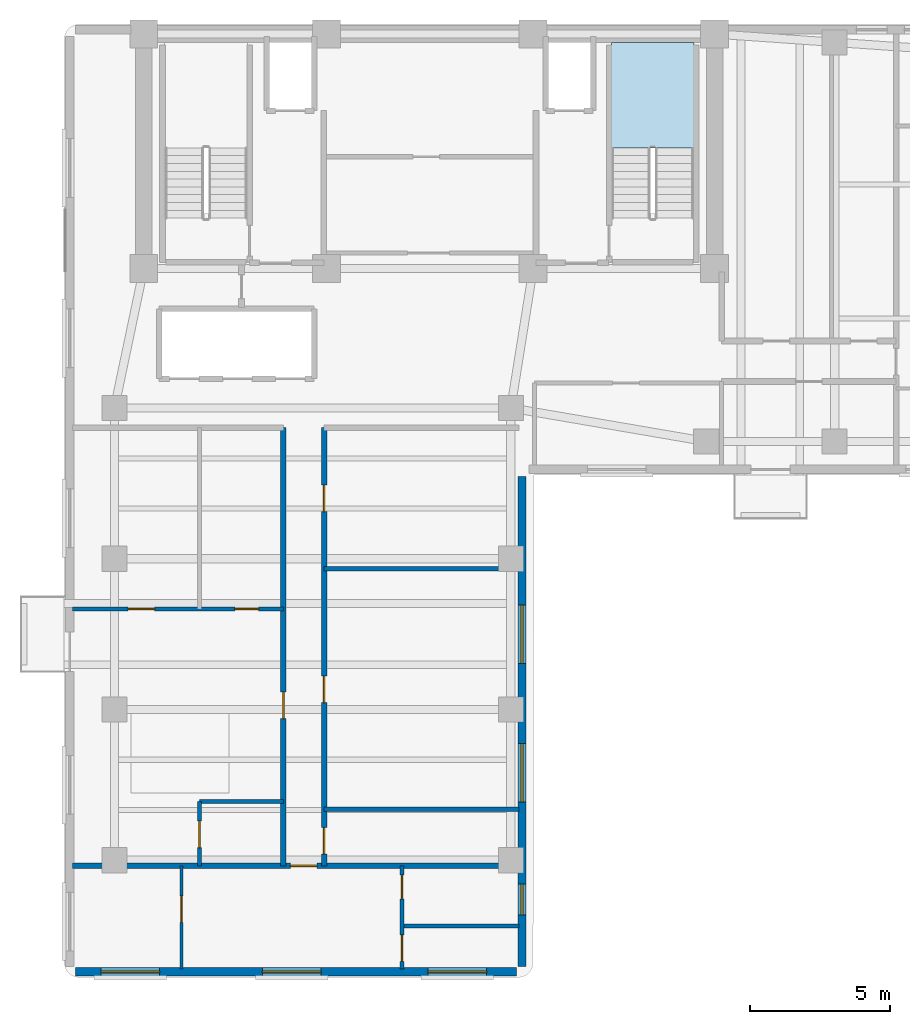
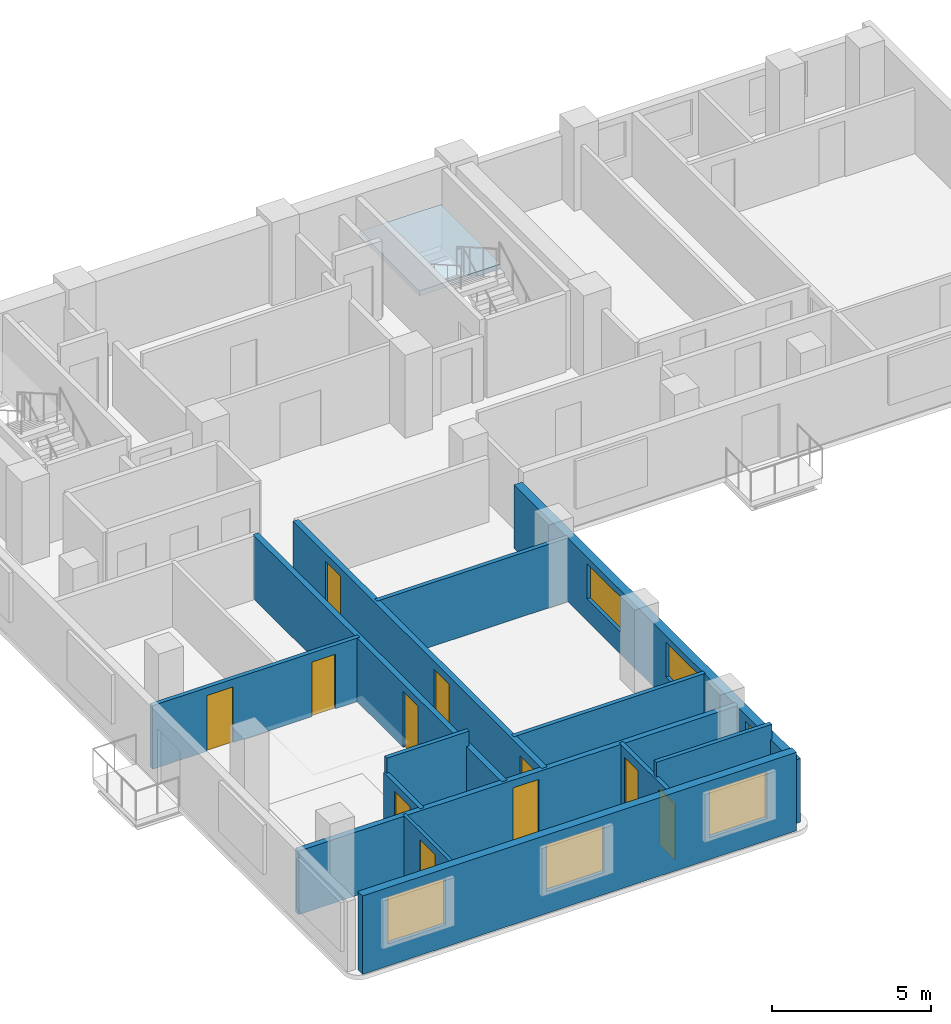
# One storey, part 2 of 7: 13 walls, 11 doors, 6 windows, 1 slab, 17 openings, 1 element without a shape of its own.
"""IFC4 building model written with IfcOpenShell, lengths in metres."""

from ifc_helpers import new_model, si_unit, direction, frame, frame_2d, origin, place, context, subcontext, project, spatial, polyline, rectangle, outline, extrude, material, layer, layer_set, type_object, element, fill, aggregate, save


model = new_model("IFC4")

# Units and contexts
model_context = context("Model", 3, precision=1e-05, world=origin(), true_north=direction((0.0, 1.0)))
body_context = subcontext(model_context, "Body", "Model", "MODEL_VIEW")
ifc_project = project(units=[si_unit("LENGTHUNIT", "METRE"), si_unit("AREAUNIT", "SQUARE_METRE"), si_unit("VOLUMEUNIT", "CUBIC_METRE"), si_unit("PLANEANGLEUNIT", "RADIAN"), si_unit("MASSUNIT", "GRAM", prefix="KILO")], contexts=[model_context])

# Site, building, storey
site_placement = place(None, origin())
site = spatial("IfcSite", under=ifc_project, at=site_placement, CompositionType="ELEMENT")
building_placement = place(site_placement, origin())
building = spatial("IfcBuilding", under=site, at=building_placement, Name="Kuzgunbayir Cultural Tower", CompositionType="ELEMENT")
storey_placement = place(building_placement, frame((0.0, 0.0, 185.60009765625)))
storey = spatial("IfcBuildingStorey", under=building, at=storey_placement, Name="L54", CompositionType="ELEMENT", Elevation=185.60009765625)

# Stair, slab
ifc_material_1 = material(Name="Concrete C40/50", Category="concrete")
stair_type = type_object("IfcStairType", Name="STR-EXIT-CORE", PredefinedType="HALF_TURN_STAIR", material=ifc_material_1)
stair_placement = place(storey_placement, origin())
stair = element("IfcStair", 1, at=stair_placement, inside=storey, type_object=stair_type, Name="L54 ST-2", PredefinedType="HALF_TURN_STAIR")
ifc_layer_1 = layer(ifc_material_1, 0.179931640625)
ifc_layer_set_1 = layer_set([ifc_layer_1], Name="Concrete C40/50")
slab_type = type_object("IfcSlabType", Name="SLB-LANDING-180", PredefinedType="LANDING", material=ifc_layer_set_1)
slab_placement = place(storey_placement, frame((0.0, 0.0, 1.39990234375)))
slab = element("IfcSlab", 2, at=slab_placement, type_object=slab_type, Name="ST-2 landing 1", PredefinedType="LANDING", context=body_context, shape_type="SweptSolid", body=[
    extrude(outline(polyline([(26.159912109375, 38.1201171875), (26.159912109375, 41.89990234375), (23.199951171875, 41.89990234375), (23.199951171875, 38.1201171875), (26.159912109375, 38.1201171875)])), origin(), (0.0, 0.0, 1.0), 0.199951171875),
])
aggregate(stair, [slab])

# Wall, openings, windows
ifc_material_2 = material(Name="Anatolian Cream Limestone", Category="masonry")
ifc_layer_2 = layer(ifc_material_2, 0.300048828125)
ifc_layer_set_2 = layer_set([ifc_layer_2], Name="Anatolian Cream Limestone")
wall_type_1 = type_object("IfcWallType", Name="WAL-EXT-STONE-300", PredefinedType="STANDARD", material=ifc_layer_set_2)
wall_1_placement = place(storey_placement, frame((4.0, 8.60009765625, 0.0), z_axis=(0.0, 0.0, 1.0), x_axis=(1.0, 0.0, 0.0)))
wall_1 = element("IfcWall", 3, at=wall_1_placement, inside=storey, type_object=wall_type_1, Name="L54 Wing A South Limestone Wall", PredefinedType="STANDARD", context=body_context, shape_type="SweptSolid", body=[
    extrude(rectangle(XDim=15.800048828125, YDim=0.300048828125, at=frame_2d((7.89990234375, 0.0))), origin(), (0.0, 0.0, 1.0), 3.02001953125),
])
opening_1_placement = place(wall_1_placement, frame((0.919921875, 0.0, 0.85009765625)))
opening_1 = element("IfcOpeningElement", 4, at=opening_1_placement, cuts=wall_1, Name="Opening WR-21", PredefinedType="OPENING", context=body_context, shape_type="SweptSolid", body=[
    extrude(rectangle(XDim=2.10009765625, YDim=1.800048828125, at=frame_2d((1.050048828125, 0.89990234375))), frame((0.0, 0.16015625, 0.0), z_axis=(0.0, -1.0, 0.0), x_axis=(1.0, 0.0, 0.0)), (0.0, 0.0, 1.0), 0.320068359375),
])
opening_2_placement = place(wall_1_placement, frame((6.699951171875, 0.0, 0.85009765625)))
opening_2 = element("IfcOpeningElement", 5, at=opening_2_placement, cuts=wall_1, Name="Opening WR-21", PredefinedType="OPENING", context=body_context, shape_type="SweptSolid", body=[
    extrude(rectangle(XDim=2.10009765625, YDim=1.800048828125, at=frame_2d((1.050048828125, 0.89990234375))), frame((0.0, 0.16015625, 0.0), z_axis=(0.0, -1.0, 0.0), x_axis=(1.0, 0.0, 0.0)), (0.0, 0.0, 1.0), 0.320068359375),
])
opening_3_placement = place(wall_1_placement, frame((12.6298828125, 0.0, 0.85009765625)))
opening_3 = element("IfcOpeningElement", 6, at=opening_3_placement, cuts=wall_1, Name="Opening WR-21", PredefinedType="OPENING", context=body_context, shape_type="SweptSolid", body=[
    extrude(rectangle(XDim=2.10009765625, YDim=1.800048828125, at=frame_2d((1.050048828125, 0.89990234375))), frame((0.0, 0.16015625, 0.0), z_axis=(0.0, -1.0, 0.0), x_axis=(1.0, 0.0, 0.0)), (0.0, 0.0, 1.0), 0.320068359375),
])
ifc_material_3 = material(Name="Solar-Control Triple Glazing", Category="glass")
window_type_1 = type_object("IfcWindowType", Name="WIN-RESID-21", PartitioningType="SINGLE_PANEL", PredefinedType="WINDOW", material=ifc_material_3)
window_1_placement = place(opening_1_placement, origin())
window_1 = element("IfcWindow", 7, at=window_1_placement, inside=storey, type_object=window_type_1, Name="L54 WAS Facade Window 1", OverallHeight=1.800048828125, OverallWidth=2.10009765625, PartitioningType="SINGLE_PANEL", PredefinedType="WINDOW", context=body_context, shape_type="SweptSolid", body=[
    extrude(rectangle(XDim=2.10009765625, YDim=1.800048828125, at=frame_2d((1.050048828125, 0.89990234375))), frame((0.0, 0.030029296875, 0.0), z_axis=(0.0, -1.0, 0.0), x_axis=(1.0, 0.0, 0.0)), (0.0, 0.0, 1.0), 0.06005859375),
])
fill(opening_1, window_1)
window_2_placement = place(opening_2_placement, origin())
window_2 = element("IfcWindow", 8, at=window_2_placement, inside=storey, type_object=window_type_1, Name="L54 WAS Facade Window 2", OverallHeight=1.800048828125, OverallWidth=2.10009765625, PartitioningType="SINGLE_PANEL", PredefinedType="WINDOW", context=body_context, shape_type="SweptSolid", body=[
    extrude(rectangle(XDim=2.10009765625, YDim=1.800048828125, at=frame_2d((1.050048828125, 0.89990234375))), frame((0.0, 0.030029296875, 0.0), z_axis=(0.0, -1.0, 0.0), x_axis=(1.0, 0.0, 0.0)), (0.0, 0.0, 1.0), 0.06005859375),
])
fill(opening_2, window_2)
window_3_placement = place(opening_3_placement, origin())
window_3 = element("IfcWindow", 9, at=window_3_placement, inside=storey, type_object=window_type_1, Name="L54 WAS Facade Window 3", OverallHeight=1.800048828125, OverallWidth=2.10009765625, PartitioningType="SINGLE_PANEL", PredefinedType="WINDOW", context=body_context, shape_type="SweptSolid", body=[
    extrude(rectangle(XDim=2.10009765625, YDim=1.800048828125, at=frame_2d((1.050048828125, 0.89990234375))), frame((0.0, 0.030029296875, 0.0), z_axis=(0.0, -1.0, 0.0), x_axis=(1.0, 0.0, 0.0)), (0.0, 0.0, 1.0), 0.06005859375),
])
fill(opening_3, window_3)

wall_2_placement = place(storey_placement, frame((20.0, 8.800048828125, 0.0), z_axis=(0.0, 0.0, 1.0), x_axis=(0.0, 1.0, 0.0)))
wall_2 = element("IfcWall", 10, at=wall_2_placement, inside=storey, type_object=wall_type_1, Name="L54 Wing A East Limestone Wall", PredefinedType="STANDARD", context=body_context, shape_type="SweptSolid", body=[
    extrude(rectangle(XDim=17.550048828125, YDim=0.300048828125, at=frame_2d((8.77490234375, 0.0))), origin(), (0.0, 0.0, 1.0), 2.449951171875),
])
opening_4_placement = place(wall_2_placement, frame((1.840087890625, 0.0, 0.85009765625)))
opening_4 = element("IfcOpeningElement", 11, at=opening_4_placement, cuts=wall_2, Name="Opening WN-11", PredefinedType="OPENING", context=body_context, shape_type="SweptSolid", body=[
    extrude(rectangle(XDim=1.10009765625, YDim=1.35009765625, at=frame_2d((0.550048828125, 0.675048828125))), frame((0.0, 0.16015625, 0.0), z_axis=(0.0, -1.0, 0.0), x_axis=(1.0, 0.0, 0.0)), (0.0, 0.0, 1.0), 0.320068359375),
])
opening_5_placement = place(wall_2_placement, frame((5.8798828125, 0.0, 0.85009765625)))
opening_5 = element("IfcOpeningElement", 12, at=opening_5_placement, cuts=wall_2, Name="Opening WR-21", PredefinedType="OPENING", context=body_context, shape_type="SweptSolid", body=[
    extrude(rectangle(XDim=2.10009765625, YDim=1.35009765625, at=frame_2d((1.050048828125, 0.675048828125))), frame((0.0, 0.16015625, 0.0), z_axis=(0.0, -1.0, 0.0), x_axis=(1.0, 0.0, 0.0)), (0.0, 0.0, 1.0), 0.320068359375),
])
opening_6_placement = place(wall_2_placement, frame((10.85009765625, 0.0, 0.85009765625)))
opening_6 = element("IfcOpeningElement", 13, at=opening_6_placement, cuts=wall_2, Name="Opening WR-21", PredefinedType="OPENING", context=body_context, shape_type="SweptSolid", body=[
    extrude(rectangle(XDim=2.10009765625, YDim=1.35009765625, at=frame_2d((1.050048828125, 0.675048828125))), frame((0.0, 0.16015625, 0.0), z_axis=(0.0, -1.0, 0.0), x_axis=(1.0, 0.0, 0.0)), (0.0, 0.0, 1.0), 0.320068359375),
])
window_type_2 = type_object("IfcWindowType", Name="WIN-NARROW-11", PartitioningType="SINGLE_PANEL", PredefinedType="WINDOW", material=ifc_material_3)
window_4_placement = place(opening_4_placement, origin())
window_4 = element("IfcWindow", 14, at=window_4_placement, inside=storey, type_object=window_type_2, Name="L54 WAE Facade Window 4", OverallHeight=1.35009765625, OverallWidth=1.10009765625, PartitioningType="SINGLE_PANEL", PredefinedType="WINDOW", context=body_context, shape_type="SweptSolid", body=[
    extrude(rectangle(XDim=1.10009765625, YDim=1.35009765625, at=frame_2d((0.550048828125, 0.675048828125))), frame((0.0, 0.030029296875, 0.0), z_axis=(0.0, -1.0, 0.0), x_axis=(1.0, 0.0, 0.0)), (0.0, 0.0, 1.0), 0.06005859375),
])
fill(opening_4, window_4)
window_5_placement = place(opening_5_placement, origin())
window_5 = element("IfcWindow", 15, at=window_5_placement, inside=storey, type_object=window_type_1, Name="L54 WAE Facade Window 15", OverallHeight=1.35009765625, OverallWidth=2.10009765625, PartitioningType="SINGLE_PANEL", PredefinedType="WINDOW", context=body_context, shape_type="SweptSolid", body=[
    extrude(rectangle(XDim=2.10009765625, YDim=1.35009765625, at=frame_2d((1.050048828125, 0.675048828125))), frame((0.0, 0.030029296875, 0.0), z_axis=(0.0, -1.0, 0.0), x_axis=(1.0, 0.0, 0.0)), (0.0, 0.0, 1.0), 0.06005859375),
])
fill(opening_5, window_5)
window_6_placement = place(opening_6_placement, origin())
window_6 = element("IfcWindow", 16, at=window_6_placement, inside=storey, type_object=window_type_1, Name="L54 WAE Facade Window 16", OverallHeight=1.35009765625, OverallWidth=2.10009765625, PartitioningType="SINGLE_PANEL", PredefinedType="WINDOW", context=body_context, shape_type="SweptSolid", body=[
    extrude(rectangle(XDim=2.10009765625, YDim=1.35009765625, at=frame_2d((1.050048828125, 0.675048828125))), frame((0.0, 0.030029296875, 0.0), z_axis=(0.0, -1.0, 0.0), x_axis=(1.0, 0.0, 0.0)), (0.0, 0.0, 1.0), 0.06005859375),
])
fill(opening_6, window_6)

# Wall
ifc_material_4 = material(Name="Acoustic Double-Stud Drywall", Category="gypsum")
ifc_layer_3 = layer(ifc_material_4, 0.14990234375)
ifc_layer_set_3 = layer_set([ifc_layer_3], Name="Acoustic Double-Stud Drywall")
wall_type_2 = type_object("IfcWallType", Name="WAL-PART-ACOUSTIC-150", PredefinedType="PARTITIONING", material=ifc_layer_set_3)
wall_3_placement = place(storey_placement, frame((12.909912109375, 23.0400390625, 0.0), z_axis=(0.0, 0.0, 1.0), x_axis=(1.0, 0.0, 0.0)))
element("IfcWall", 17, at=wall_3_placement, inside=storey, type_object=wall_type_2, Name="L54 East Divider 1", PredefinedType="PARTITIONING", context=body_context, shape_type="SweptSolid", body=[
    extrude(rectangle(XDim=6.989990234375, YDim=0.14990234375, at=frame_2d((3.4951171875, 0.0))), origin(), (0.0, 0.0, 1.0), 2.449951171875),
])

# Wall, opening, door
ifc_material_5 = material(Name="Aerated Concrete Blockwork", Category="masonry")
ifc_layer_4 = layer(ifc_material_5, 0.199951171875)
ifc_layer_set_4 = layer_set([ifc_layer_4], Name="Aerated Concrete Blockwork")
wall_type_3 = type_object("IfcWallType", Name="WAL-PART-FIRE-200", PredefinedType="PARTITIONING", material=ifc_layer_set_4)
wall_4_placement = place(storey_placement, frame((11.449951171875, 12.39990234375, 0.0), z_axis=(0.0, 0.0, 1.0), x_axis=(0.0, 1.0, 0.0)))
wall_4 = element("IfcWall", 18, at=wall_4_placement, inside=storey, type_object=wall_type_3, Name="L54 Wing A West Corridor Wall", PredefinedType="PARTITIONING", context=body_context, shape_type="SweptSolid", body=[
    extrude(rectangle(XDim=15.7001953125, YDim=0.199951171875, at=frame_2d((7.85009765625, 0.0))), origin(), (0.0, 0.0, 1.0), 2.449951171875),
])
opening_7_placement = place(wall_4_placement, frame((5.27001953125, 0.0, 0.0)))
opening_7 = element("IfcOpeningElement", 19, at=opening_7_placement, cuts=wall_4, Name="Opening DR-APT-60", PredefinedType="OPENING", context=body_context, shape_type="SweptSolid", body=[
    extrude(rectangle(XDim=0.949951171875, YDim=2.14990234375, at=frame_2d((0.47509765625, 1.074951171875))), frame((0.0, 0.10986328125, 0.0), z_axis=(0.0, -1.0, 0.0), x_axis=(1.0, 0.0, 0.0)), (0.0, 0.0, 1.0), 0.219970703125),
])
ifc_material_6 = material(Name="Acoustic Fire Timber Leaf", Category="wood")
door_type_1 = type_object("IfcDoorType", Name="DR-APT-60", OperationType="NOTDEFINED", PredefinedType="DOOR", material=ifc_material_6)
door_1_placement = place(opening_7_placement, origin())
door_1 = element("IfcDoor", 20, at=door_1_placement, inside=storey, type_object=door_type_1, Name="L54 Apartment B Entrance", OperationType="SINGLE_SWING_RIGHT", OverallHeight=2.14990234375, OverallWidth=0.949951171875, PredefinedType="DOOR", context=body_context, shape_type="SweptSolid", body=[
    extrude(rectangle(XDim=0.949951171875, YDim=2.14990234375, at=frame_2d((0.47509765625, 1.074951171875))), frame((0.0, 0.02490234375, 0.0), z_axis=(0.0, -1.0, 0.0), x_axis=(1.0, 0.0, 0.0)), (0.0, 0.0, 1.0), 0.050048828125),
])
fill(opening_7, door_1)

# Wall, openings, doors
wall_5_placement = place(storey_placement, frame((12.909912109375, 12.39990234375, 0.0), z_axis=(0.0, 0.0, 1.0), x_axis=(0.0, 1.0, 0.0)))
wall_5 = element("IfcWall", 21, at=wall_5_placement, inside=storey, type_object=wall_type_3, Name="L54 Wing A East Corridor Wall", PredefinedType="PARTITIONING", context=body_context, shape_type="SweptSolid", body=[
    extrude(rectangle(XDim=15.7001953125, YDim=0.199951171875, at=frame_2d((7.85009765625, 0.0))), origin(), (0.0, 0.0, 1.0), 2.449951171875),
])
opening_8_placement = place(wall_5_placement, frame((0.419921875, 0.0, 0.0)))
opening_8 = element("IfcOpeningElement", 22, at=opening_8_placement, cuts=wall_5, Name="Opening DW-95", PredefinedType="OPENING", context=body_context, shape_type="SweptSolid", body=[
    extrude(rectangle(XDim=0.949951171875, YDim=2.10009765625, at=frame_2d((0.47509765625, 1.050048828125))), frame((0.0, 0.10986328125, 0.0), z_axis=(0.0, -1.0, 0.0), x_axis=(1.0, 0.0, 0.0)), (0.0, 0.0, 1.0), 0.219970703125),
])
opening_9_placement = place(wall_5_placement, frame((5.85009765625, 0.0, 0.0)))
opening_9 = element("IfcOpeningElement", 23, at=opening_9_placement, cuts=wall_5, Name="Opening DI-90", PredefinedType="OPENING", context=body_context, shape_type="SweptSolid", body=[
    extrude(rectangle(XDim=0.949951171875, YDim=2.14990234375, at=frame_2d((0.47509765625, 1.074951171875))), frame((0.0, 0.10986328125, 0.0), z_axis=(0.0, -1.0, 0.0), x_axis=(1.0, 0.0, 0.0)), (0.0, 0.0, 1.0), 0.219970703125),
])
opening_10_placement = place(wall_5_placement, frame((12.68994140625, 0.0, 0.0)))
opening_10 = element("IfcOpeningElement", 24, at=opening_10_placement, cuts=wall_5, Name="Opening DI-90", PredefinedType="OPENING", context=body_context, shape_type="SweptSolid", body=[
    extrude(rectangle(XDim=0.949951171875, YDim=2.14990234375, at=frame_2d((0.47509765625, 1.074951171875))), frame((0.0, 0.10986328125, 0.0), z_axis=(0.0, -1.0, 0.0), x_axis=(1.0, 0.0, 0.0)), (0.0, 0.0, 1.0), 0.219970703125),
])
ifc_material_7 = material(Name="Veneered Oak Single Leaf", Category="wood")
door_type_2 = type_object("IfcDoorType", Name="DR-INT-90", OperationType="NOTDEFINED", PredefinedType="DOOR", material=ifc_material_7)
door_2_placement = place(opening_9_placement, origin())
door_2 = element("IfcDoor", 25, at=door_2_placement, inside=storey, type_object=door_type_2, Name="L54 East Curatorial Office E1 Door", OperationType="SINGLE_SWING_LEFT", OverallHeight=2.14990234375, OverallWidth=0.949951171875, PredefinedType="DOOR", context=body_context, shape_type="SweptSolid", body=[
    extrude(rectangle(XDim=0.949951171875, YDim=2.14990234375, at=frame_2d((0.47509765625, 1.074951171875))), frame((0.0, 0.02490234375, 0.0), z_axis=(0.0, -1.0, 0.0), x_axis=(1.0, 0.0, 0.0)), (0.0, 0.0, 1.0), 0.050048828125),
])
fill(opening_9, door_2)
door_3_placement = place(opening_10_placement, origin())
door_3 = element("IfcDoor", 26, at=door_3_placement, inside=storey, type_object=door_type_2, Name="L54 East Fellows Reading Lounge E2 Door", OperationType="SINGLE_SWING_RIGHT", OverallHeight=2.14990234375, OverallWidth=0.949951171875, PredefinedType="DOOR", context=body_context, shape_type="SweptSolid", body=[
    extrude(rectangle(XDim=0.949951171875, YDim=2.14990234375, at=frame_2d((0.47509765625, 1.074951171875))), frame((0.0, 0.02490234375, 0.0), z_axis=(0.0, -1.0, 0.0), x_axis=(1.0, 0.0, 0.0)), (0.0, 0.0, 1.0), 0.050048828125),
])
fill(opening_10, door_3)
ifc_material_8 = material(Name="Laminate Moisture-Resistant Leaf", Category="wood")
door_type_3 = type_object("IfcDoorType", Name="DR-WET-95", OperationType="NOTDEFINED", PredefinedType="DOOR", material=ifc_material_8)
door_4_placement = place(opening_8_placement, origin())
door_4 = element("IfcDoor", 27, at=door_4_placement, inside=storey, type_object=door_type_3, Name="L54 Visitor Accessible WC Door", OperationType="SINGLE_SWING_RIGHT", OverallHeight=2.10009765625, OverallWidth=0.949951171875, PredefinedType="DOOR", context=body_context, shape_type="SweptSolid", body=[
    extrude(rectangle(XDim=0.949951171875, YDim=2.10009765625, at=frame_2d((0.47509765625, 1.050048828125))), frame((0.0, 0.02490234375, 0.0), z_axis=(0.0, -1.0, 0.0), x_axis=(1.0, 0.0, 0.0)), (0.0, 0.0, 1.0), 0.050048828125),
])
fill(opening_8, door_4)

# Wall, opening, door
wall_6_placement = place(storey_placement, frame((3.89990234375, 12.39990234375, 0.0), z_axis=(0.0, 0.0, 1.0), x_axis=(1.0, 0.0, 0.0)))
wall_6 = element("IfcWall", 28, at=wall_6_placement, inside=storey, type_object=wall_type_3, Name="L54 South Cross Partition", PredefinedType="PARTITIONING", context=body_context, shape_type="SweptSolid", body=[
    extrude(rectangle(XDim=16.0, YDim=0.199951171875, at=frame_2d((8.0, 0.0))), origin(), (0.0, 0.0, 1.0), 2.449951171875),
])
opening_11_placement = place(wall_6_placement, frame((7.800048828125, 0.0, 0.0)))
opening_11 = element("IfcOpeningElement", 29, at=opening_11_placement, cuts=wall_6, Name="Opening DR-APT-60", PredefinedType="OPENING", context=body_context, shape_type="SweptSolid", body=[
    extrude(rectangle(XDim=0.949951171875, YDim=2.14990234375, at=frame_2d((0.47509765625, 1.074951171875))), frame((0.0, 0.10986328125, 0.0), z_axis=(0.0, -1.0, 0.0), x_axis=(1.0, 0.0, 0.0)), (0.0, 0.0, 1.0), 0.219970703125),
])
door_5_placement = place(opening_11_placement, origin())
door_5 = element("IfcDoor", 30, at=door_5_placement, inside=storey, type_object=door_type_1, Name="L54 Apartment A Entrance", OperationType="SINGLE_SWING_RIGHT", OverallHeight=2.14990234375, OverallWidth=0.949951171875, PredefinedType="DOOR", context=body_context, shape_type="SweptSolid", body=[
    extrude(rectangle(XDim=0.949951171875, YDim=2.14990234375, at=frame_2d((0.47509765625, 1.074951171875))), frame((0.0, 0.02490234375, 0.0), z_axis=(0.0, -1.0, 0.0), x_axis=(1.0, 0.0, 0.0)), (0.0, 0.0, 1.0), 0.050048828125),
])
fill(opening_11, door_5)

ifc_material_9 = material(Name="Framed Gypsum Partition", Category="gypsum")
ifc_layer_5 = layer(ifc_material_9, 0.1201171875)
ifc_layer_set_5 = layer_set([ifc_layer_5], Name="Framed Gypsum Partition")
wall_type_4 = type_object("IfcWallType", Name="WAL-PART-INT-120", PredefinedType="PARTITIONING", material=ifc_layer_set_5)
wall_7_placement = place(storey_placement, frame((7.800048828125, 8.699951171875, 0.0), z_axis=(0.0, 0.0, 1.0), x_axis=(0.0, 1.0, 0.0)))
wall_7 = element("IfcWall", 31, at=wall_7_placement, inside=storey, type_object=wall_type_4, Name="L54 Flat A West Bedroom Wall", PredefinedType="PARTITIONING", context=body_context, shape_type="SweptSolid", body=[
    extrude(rectangle(XDim=3.699951171875, YDim=0.1201171875, at=frame_2d((1.85009765625, 0.0))), origin(), (0.0, 0.0, 1.0), 2.449951171875),
])
opening_12_placement = place(wall_7_placement, frame((1.669921875, 0.0, 0.0)))
opening_12 = element("IfcOpeningElement", 32, at=opening_12_placement, cuts=wall_7, Name="Opening DI-90", PredefinedType="OPENING", context=body_context, shape_type="SweptSolid", body=[
    extrude(rectangle(XDim=0.949951171875, YDim=2.14990234375, at=frame_2d((0.47509765625, 1.074951171875))), frame((0.0, 0.070068359375, 0.0), z_axis=(0.0, -1.0, 0.0), x_axis=(1.0, 0.0, 0.0)), (0.0, 0.0, 1.0), 0.14013671875),
])
door_6_placement = place(opening_12_placement, origin())
door_6 = element("IfcDoor", 33, at=door_6_placement, inside=storey, type_object=door_type_2, Name="L54 Apartment A Bedroom Door", OperationType="SINGLE_SWING_LEFT", OverallHeight=2.14990234375, OverallWidth=0.949951171875, PredefinedType="DOOR", context=body_context, shape_type="SweptSolid", body=[
    extrude(rectangle(XDim=0.949951171875, YDim=2.14990234375, at=frame_2d((0.47509765625, 1.074951171875))), frame((0.0, 0.02490234375, 0.0), z_axis=(0.0, -1.0, 0.0), x_axis=(1.0, 0.0, 0.0)), (0.0, 0.0, 1.0), 0.050048828125),
])
fill(opening_12, door_6)

# Wall, openings, doors
ifc_material_10 = material(Name="Moisture-Resistant Tile Partition", Category="gypsum")
ifc_layer_6 = layer(ifc_material_10, 0.14990234375)
ifc_layer_set_6 = layer_set([ifc_layer_6], Name="Moisture-Resistant Tile Partition")
wall_type_5 = type_object("IfcWallType", Name="WAL-PART-WET-150", PredefinedType="PARTITIONING", material=ifc_layer_set_6)
wall_8_placement = place(storey_placement, frame((15.699951171875, 8.699951171875, 0.0), z_axis=(0.0, 0.0, 1.0), x_axis=(0.0, 1.0, 0.0)))
wall_8 = element("IfcWall", 34, at=wall_8_placement, inside=storey, type_object=wall_type_5, Name="L54 Flat A East Service Wall", PredefinedType="PARTITIONING", context=body_context, shape_type="SweptSolid", body=[
    extrude(rectangle(XDim=3.699951171875, YDim=0.14990234375, at=frame_2d((1.85009765625, 0.0))), origin(), (0.0, 0.0, 1.0), 2.449951171875),
])
opening_13_placement = place(wall_8_placement, frame((0.280029296875, 0.0, 0.0)))
opening_13 = element("IfcOpeningElement", 35, at=opening_13_placement, cuts=wall_8, Name="Opening DI-90", PredefinedType="OPENING", context=body_context, shape_type="SweptSolid", body=[
    extrude(rectangle(XDim=0.949951171875, YDim=2.14990234375, at=frame_2d((0.47509765625, 1.074951171875))), frame((0.0, 0.0849609375, 0.0), z_axis=(0.0, -1.0, 0.0), x_axis=(1.0, 0.0, 0.0)), (0.0, 0.0, 1.0), 0.169921875),
])
opening_14_placement = place(wall_8_placement, frame((2.52001953125, 0.0, 0.0)))
opening_14 = element("IfcOpeningElement", 36, at=opening_14_placement, cuts=wall_8, Name="Opening DW-85", PredefinedType="OPENING", context=body_context, shape_type="SweptSolid", body=[
    extrude(rectangle(XDim=0.85009765625, YDim=2.10009765625, at=frame_2d((0.425048828125, 1.050048828125))), frame((0.0, 0.0849609375, 0.0), z_axis=(0.0, -1.0, 0.0), x_axis=(1.0, 0.0, 0.0)), (0.0, 0.0, 1.0), 0.169921875),
])
door_7_placement = place(opening_13_placement, origin())
door_7 = element("IfcDoor", 37, at=door_7_placement, inside=storey, type_object=door_type_2, Name="L54 Apartment A Kitchen Door", OperationType="SINGLE_SWING_RIGHT", OverallHeight=2.14990234375, OverallWidth=0.949951171875, PredefinedType="DOOR", context=body_context, shape_type="SweptSolid", body=[
    extrude(rectangle(XDim=0.949951171875, YDim=2.14990234375, at=frame_2d((0.47509765625, 1.074951171875))), frame((0.0, 0.02490234375, 0.0), z_axis=(0.0, -1.0, 0.0), x_axis=(1.0, 0.0, 0.0)), (0.0, 0.0, 1.0), 0.050048828125),
])
fill(opening_13, door_7)
door_type_4 = type_object("IfcDoorType", Name="DR-WET-85", OperationType="NOTDEFINED", PredefinedType="DOOR", material=ifc_material_8)
door_8_placement = place(opening_14_placement, origin())
door_8 = element("IfcDoor", 38, at=door_8_placement, inside=storey, type_object=door_type_4, Name="L54 Apartment A Bathroom Door", OperationType="SINGLE_SWING_LEFT", OverallHeight=2.10009765625, OverallWidth=0.85009765625, PredefinedType="DOOR", context=body_context, shape_type="SweptSolid", body=[
    extrude(rectangle(XDim=0.85009765625, YDim=2.10009765625, at=frame_2d((0.425048828125, 1.050048828125))), frame((0.0, 0.02490234375, 0.0), z_axis=(0.0, -1.0, 0.0), x_axis=(1.0, 0.0, 0.0)), (0.0, 0.0, 1.0), 0.050048828125),
])
fill(opening_14, door_8)

# Wall
wall_9_placement = place(storey_placement, frame((15.699951171875, 10.25, 0.0), z_axis=(0.0, 0.0, 1.0), x_axis=(1.0, 0.0, 0.0)))
element("IfcWall", 39, at=wall_9_placement, inside=storey, type_object=wall_type_5, Name="L54 Flat A Bath Kitchen Divider", PredefinedType="PARTITIONING", context=body_context, shape_type="SweptSolid", body=[
    extrude(rectangle(XDim=4.199951171875, YDim=0.14990234375, at=frame_2d((2.10009765625, 0.0))), origin(), (0.0, 0.0, 1.0), 3.02001953125),
])

# Wall, openings, doors
wall_10_placement = place(storey_placement, frame((3.89990234375, 21.60009765625, 0.0), z_axis=(0.0, 0.0, 1.0), x_axis=(1.0, 0.0, 0.0)))
wall_10 = element("IfcWall", 40, at=wall_10_placement, inside=storey, type_object=wall_type_5, Name="L54 Flat B North Wall", PredefinedType="PARTITIONING", context=body_context, shape_type="SweptSolid", body=[
    extrude(rectangle(XDim=7.550048828125, YDim=0.14990234375, at=frame_2d((3.77490234375, 0.0))), origin(), (0.0, 0.0, 1.0), 2.449951171875),
])
opening_15_placement = place(wall_10_placement, frame((1.989990234375, 0.0, 0.0)))
opening_15 = element("IfcOpeningElement", 41, at=opening_15_placement, cuts=wall_10, Name="Opening DI-90", PredefinedType="OPENING", context=body_context, shape_type="SweptSolid", body=[
    extrude(rectangle(XDim=0.949951171875, YDim=2.14990234375, at=frame_2d((0.47509765625, 1.074951171875))), frame((0.0, 0.0849609375, 0.0), z_axis=(0.0, -1.0, 0.0), x_axis=(1.0, 0.0, 0.0)), (0.0, 0.0, 1.0), 0.169921875),
])
opening_16_placement = place(wall_10_placement, frame((5.81005859375, 0.0, 0.0)))
opening_16 = element("IfcOpeningElement", 42, at=opening_16_placement, cuts=wall_10, Name="Opening DW-85", PredefinedType="OPENING", context=body_context, shape_type="SweptSolid", body=[
    extrude(rectangle(XDim=0.85009765625, YDim=2.10009765625, at=frame_2d((0.425048828125, 1.050048828125))), frame((0.0, 0.0849609375, 0.0), z_axis=(0.0, -1.0, 0.0), x_axis=(1.0, 0.0, 0.0)), (0.0, 0.0, 1.0), 0.169921875),
])
door_9_placement = place(opening_15_placement, origin())
door_9 = element("IfcDoor", 43, at=door_9_placement, inside=storey, type_object=door_type_2, Name="L54 Apartment B Bedroom Door", OperationType="SINGLE_SWING_RIGHT", OverallHeight=2.14990234375, OverallWidth=0.949951171875, PredefinedType="DOOR", context=body_context, shape_type="SweptSolid", body=[
    extrude(rectangle(XDim=0.949951171875, YDim=2.14990234375, at=frame_2d((0.47509765625, 1.074951171875))), frame((0.0, 0.02490234375, 0.0), z_axis=(0.0, -1.0, 0.0), x_axis=(1.0, 0.0, 0.0)), (0.0, 0.0, 1.0), 0.050048828125),
])
fill(opening_15, door_9)
door_10_placement = place(opening_16_placement, origin())
door_10 = element("IfcDoor", 44, at=door_10_placement, inside=storey, type_object=door_type_4, Name="L54 Apartment B Bathroom Door", OperationType="SINGLE_SWING_LEFT", OverallHeight=2.10009765625, OverallWidth=0.85009765625, PredefinedType="DOOR", context=body_context, shape_type="SweptSolid", body=[
    extrude(rectangle(XDim=0.85009765625, YDim=2.10009765625, at=frame_2d((0.425048828125, 1.050048828125))), frame((0.0, 0.02490234375, 0.0), z_axis=(0.0, -1.0, 0.0), x_axis=(1.0, 0.0, 0.0)), (0.0, 0.0, 1.0), 0.050048828125),
])
fill(opening_16, door_10)

# Wall, opening, door
wall_11_placement = place(storey_placement, frame((8.449951171875, 12.39990234375, 0.0), z_axis=(0.0, 0.0, 1.0), x_axis=(0.0, 1.0, 0.0)))
wall_11 = element("IfcWall", 45, at=wall_11_placement, inside=storey, type_object=wall_type_5, Name="L54 Flat B Kitchen Alcove Wall", PredefinedType="PARTITIONING", context=body_context, shape_type="SweptSolid", body=[
    extrude(rectangle(XDim=2.300048828125, YDim=0.14990234375, at=frame_2d((1.14990234375, 0.0))), origin(), (0.0, 0.0, 1.0), 2.449951171875),
])
opening_17_placement = place(wall_11_placement, frame((0.64990234375, 0.0, 0.0)))
opening_17 = element("IfcOpeningElement", 46, at=opening_17_placement, cuts=wall_11, Name="Opening DI-90", PredefinedType="OPENING", context=body_context, shape_type="SweptSolid", body=[
    extrude(rectangle(XDim=0.949951171875, YDim=2.14990234375, at=frame_2d((0.47509765625, 1.074951171875))), frame((0.0, 0.0849609375, 0.0), z_axis=(0.0, -1.0, 0.0), x_axis=(1.0, 0.0, 0.0)), (0.0, 0.0, 1.0), 0.169921875),
])
door_11_placement = place(opening_17_placement, origin())
door_11 = element("IfcDoor", 47, at=door_11_placement, inside=storey, type_object=door_type_2, Name="L54 Apartment B Kitchen Door", OperationType="SINGLE_SWING_LEFT", OverallHeight=2.14990234375, OverallWidth=0.949951171875, PredefinedType="DOOR", context=body_context, shape_type="SweptSolid", body=[
    extrude(rectangle(XDim=0.949951171875, YDim=2.14990234375, at=frame_2d((0.47509765625, 1.074951171875))), frame((0.0, 0.02490234375, 0.0), z_axis=(0.0, -1.0, 0.0), x_axis=(1.0, 0.0, 0.0)), (0.0, 0.0, 1.0), 0.050048828125),
])
fill(opening_17, door_11)

# Walls
wall_12_placement = place(storey_placement, frame((8.449951171875, 14.699951171875, 0.0), z_axis=(0.0, 0.0, 1.0), x_axis=(1.0, 0.0, 0.0)))
element("IfcWall", 48, at=wall_12_placement, inside=storey, type_object=wall_type_5, Name="L54 Flat B Kitchen North Wall", PredefinedType="PARTITIONING", context=body_context, shape_type="SweptSolid", body=[
    extrude(rectangle(XDim=3.0, YDim=0.14990234375, at=frame_2d((1.5, 0.0))), origin(), (0.0, 0.0, 1.0), 3.02001953125),
])
wall_13_placement = place(storey_placement, frame((12.909912109375, 14.429931640625, 0.0), z_axis=(0.0, 0.0, 1.0), x_axis=(1.0, 0.0, 0.0)))
element("IfcWall", 49, at=wall_13_placement, inside=storey, type_object=wall_type_5, Name="L54 East Accessible WC Wall", PredefinedType="PARTITIONING", context=body_context, shape_type="SweptSolid", body=[
    extrude(rectangle(XDim=6.989990234375, YDim=0.14990234375, at=frame_2d((3.4951171875, 0.0))), origin(), (0.0, 0.0, 1.0), 2.449951171875),
])

save(model, "model.ifc")
